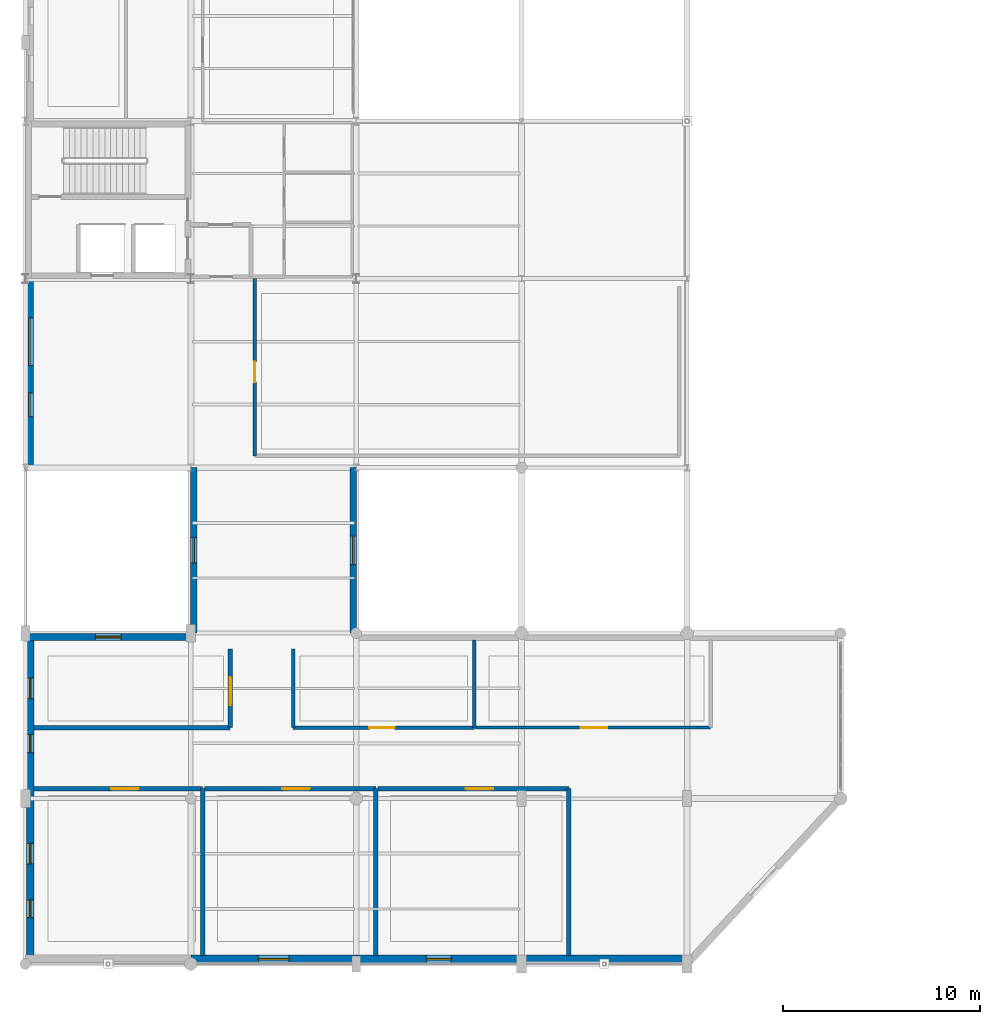
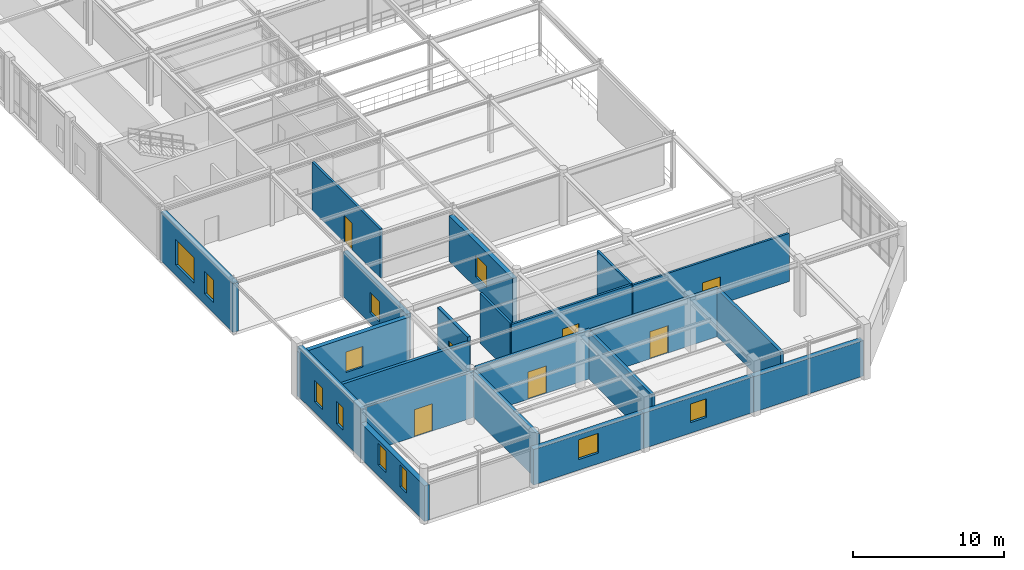
# One storey, part 83 of 106: 22 walls, 11 windows, 7 doors, 18 openings.
"""IFC4 building model written with IfcOpenShell, lengths in metres."""

from ifc_helpers import new_model, si_unit, derived_unit, direction, frame, frame_2d, origin, place, context, subcontext, project, spatial, rectangle, extrude, material, layer, layer_set, type_object, element, fill, save


model = new_model("IFC4")

# Units and contexts
model_context = context("Model", 3, precision=1e-05, world=origin(), true_north=direction((0.0, 1.0)))
body_context = subcontext(model_context, "Body", "Model", "MODEL_VIEW")
ifc_project = project(units=[si_unit("LENGTHUNIT", "METRE"), si_unit("AREAUNIT", "SQUARE_METRE"), si_unit("VOLUMEUNIT", "CUBIC_METRE"), si_unit("PLANEANGLEUNIT", "RADIAN"), si_unit("MASSUNIT", "GRAM", prefix="KILO"), derived_unit("THERMALTRANSMITTANCEUNIT", [(si_unit("POWERUNIT", "WATT"), 1), (si_unit("AREAUNIT", "SQUARE_METRE"), -1), (si_unit("THERMODYNAMICTEMPERATUREUNIT", "KELVIN"), -1)])], contexts=[model_context])

# Site, building, storey
site_placement = place(None, origin())
site = spatial("IfcSite", under=ifc_project, at=site_placement, CompositionType="ELEMENT")
building_placement = place(site_placement, origin())
building = spatial("IfcBuilding", under=site, at=building_placement, Name="Yasenodar Specialist Clinic", CompositionType="ELEMENT")
storey_placement = place(building_placement, frame((0.0, 0.0, 4.5)))
storey = spatial("IfcBuildingStorey", under=building, at=storey_placement, Name="L01", CompositionType="ELEMENT", Elevation=4.5)

# Wall, openings, windows
ifc_material_1 = material(Name="Leznykivske Rose Granite Rainscreen", Category="masonry")
ifc_layer_1 = layer(ifc_material_1, 0.3798828125)
ifc_layer_set_1 = layer_set([ifc_layer_1], Name="Leznykivske Rose Granite Rainscreen")
wall_type_1 = type_object("IfcWallType", Name="EW-GRAN-380", PredefinedType="SOLIDWALL", material=ifc_layer_set_1)
wall_1_placement = place(storey_placement, frame((0.239990234375, 0.0, 0.0), z_axis=(0.0, 0.0, 1.0), x_axis=(0.0, 1.0, 0.0)))
wall_1 = element("IfcWall", 1, at=wall_1_placement, inside=storey, type_object=wall_type_1, Name="L01 Exterior Facade Wall 0052", PredefinedType="SOLIDWALL", context=body_context, shape_type="SweptSolid", body=[
    extrude(rectangle(XDim=8.39990234375, YDim=0.3798828125, at=frame_2d((4.199951171875, 0.0))), origin(), (0.0, 0.0, 1.0), 2.867919921875),
])
opening_1_placement = place(wall_1_placement, frame((2.35009765625, 0.0, 0.85009765625)))
opening_1 = element("IfcOpeningElement", 2, at=opening_1_placement, cuts=wall_1, Name="Opening W-09", PredefinedType="OPENING", context=body_context, shape_type="SweptSolid", body=[
    extrude(rectangle(XDim=0.89990234375, YDim=1.800048828125, at=frame_2d((0.449951171875, 0.89990234375))), frame((0.0, 0.199951171875, 0.0), z_axis=(0.0, -1.0, 0.0), x_axis=(1.0, 0.0, 0.0)), (0.0, 0.0, 1.0), 0.39990234375),
])
opening_2_placement = place(wall_1_placement, frame((5.074951171875, 0.0, 0.85009765625)))
opening_2 = element("IfcOpeningElement", 3, at=opening_2_placement, cuts=wall_1, Name="Opening W-10", PredefinedType="OPENING", context=body_context, shape_type="SweptSolid", body=[
    extrude(rectangle(XDim=1.050048828125, YDim=1.75, at=frame_2d((0.52490234375, 0.875))), frame((0.0, 0.199951171875, 0.0), z_axis=(0.0, -1.0, 0.0), x_axis=(1.0, 0.0, 0.0)), (0.0, 0.0, 1.0), 0.39990234375),
])
ifc_material_2 = material(Name="Triple Low-E Argon Glazing in Bronze Aluminium Frame", Category="aluminium")
window_type_1 = type_object("IfcWindowType", Name="WIN-EXT-09", PartitioningType="SINGLE_PANEL", PredefinedType="WINDOW", material=ifc_material_2)
window_1_placement = place(opening_1_placement, origin())
window_1 = element("IfcWindow", 4, at=window_1_placement, inside=storey, type_object=window_type_1, Name="L01 Triple-Glazed Reveal Window 0033", OverallHeight=1.800048828125, OverallWidth=0.89990234375, PartitioningType="SINGLE_PANEL", PredefinedType="WINDOW", context=body_context, shape_type="SweptSolid", body=[
    extrude(rectangle(XDim=0.89990234375, YDim=1.800048828125, at=frame_2d((0.449951171875, 0.89990234375))), frame((0.0, 0.030029296875, 0.0), z_axis=(0.0, -1.0, 0.0), x_axis=(1.0, 0.0, 0.0)), (0.0, 0.0, 1.0), 0.06005859375),
])
fill(opening_1, window_1)
window_type_2 = type_object("IfcWindowType", Name="WIN-EXT-10", PartitioningType="SINGLE_PANEL", PredefinedType="WINDOW", material=ifc_material_2)
window_2_placement = place(opening_2_placement, origin())
window_2 = element("IfcWindow", 5, at=window_2_placement, inside=storey, type_object=window_type_2, Name="L01 Triple-Glazed Reveal Window 0034", OverallHeight=1.75, OverallWidth=1.050048828125, PartitioningType="SINGLE_PANEL", PredefinedType="WINDOW", context=body_context, shape_type="SweptSolid", body=[
    extrude(rectangle(XDim=1.050048828125, YDim=1.75, at=frame_2d((0.52490234375, 0.875))), frame((0.0, 0.030029296875, 0.0), z_axis=(0.0, -1.0, 0.0), x_axis=(1.0, 0.0, 0.0)), (0.0, 0.0, 1.0), 0.06005859375),
])
fill(opening_2, window_2)

wall_2_placement = place(storey_placement, frame((0.239990234375, 8.39990234375, 0.0), z_axis=(0.0, 0.0, 1.0), x_axis=(0.0, 1.0, 0.0)))
wall_2 = element("IfcWall", 6, at=wall_2_placement, inside=storey, type_object=wall_type_1, Name="L01 Exterior Facade Wall 0053", PredefinedType="SOLIDWALL", context=body_context, shape_type="SweptSolid", body=[
    extrude(rectangle(XDim=8.400146484375, YDim=0.3798828125, at=frame_2d((4.2001953125, 0.0))), origin(), (0.0, 0.0, 1.0), 3.97802734375),
])
opening_3_placement = place(wall_2_placement, frame((2.35009765625, 0.0, 0.85009765625)))
opening_3 = element("IfcOpeningElement", 7, at=opening_3_placement, cuts=wall_2, Name="Opening W-09", PredefinedType="OPENING", context=body_context, shape_type="SweptSolid", body=[
    extrude(rectangle(XDim=0.89990234375, YDim=1.800048828125, at=frame_2d((0.449951171875, 0.89990234375))), frame((0.0, 0.199951171875, 0.0), z_axis=(0.0, -1.0, 0.0), x_axis=(1.0, 0.0, 0.0)), (0.0, 0.0, 1.0), 0.39990234375),
])
opening_4_placement = place(wall_2_placement, frame((5.074951171875, 0.0, 0.85009765625)))
opening_4 = element("IfcOpeningElement", 8, at=opening_4_placement, cuts=wall_2, Name="Opening W-10", PredefinedType="OPENING", context=body_context, shape_type="SweptSolid", body=[
    extrude(rectangle(XDim=1.050048828125, YDim=1.75, at=frame_2d((0.52490234375, 0.875))), frame((0.0, 0.199951171875, 0.0), z_axis=(0.0, -1.0, 0.0), x_axis=(1.0, 0.0, 0.0)), (0.0, 0.0, 1.0), 0.39990234375),
])
window_3_placement = place(opening_3_placement, origin())
window_3 = element("IfcWindow", 9, at=window_3_placement, inside=storey, type_object=window_type_1, Name="L01 Triple-Glazed Reveal Window 0035", OverallHeight=1.800048828125, OverallWidth=0.89990234375, PartitioningType="SINGLE_PANEL", PredefinedType="WINDOW", context=body_context, shape_type="SweptSolid", body=[
    extrude(rectangle(XDim=0.89990234375, YDim=1.800048828125, at=frame_2d((0.449951171875, 0.89990234375))), frame((0.0, 0.030029296875, 0.0), z_axis=(0.0, -1.0, 0.0), x_axis=(1.0, 0.0, 0.0)), (0.0, 0.0, 1.0), 0.06005859375),
])
fill(opening_3, window_3)
window_4_placement = place(opening_4_placement, origin())
window_4 = element("IfcWindow", 10, at=window_4_placement, inside=storey, type_object=window_type_2, Name="L01 Triple-Glazed Reveal Window 0036", OverallHeight=1.75, OverallWidth=1.050048828125, PartitioningType="SINGLE_PANEL", PredefinedType="WINDOW", context=body_context, shape_type="SweptSolid", body=[
    extrude(rectangle(XDim=1.050048828125, YDim=1.75, at=frame_2d((0.52490234375, 0.875))), frame((0.0, 0.030029296875, 0.0), z_axis=(0.0, -1.0, 0.0), x_axis=(1.0, 0.0, 0.0)), (0.0, 0.0, 1.0), 0.06005859375),
])
fill(opening_4, window_4)

# Wall
ifc_material_3 = material(Name="Kapustianske Red Granite Ashlar Rainscreen", Category="masonry")
ifc_layer_2 = layer(ifc_material_3, 0.419921875)
ifc_layer_set_2 = layer_set([ifc_layer_2], Name="Kapustianske Red Granite Ashlar Rainscreen")
wall_type_2 = type_object("IfcWallType", Name="EW-GRAN-420", PredefinedType="SOLIDWALL", material=ifc_layer_set_2)
wall_3_placement = place(storey_placement, frame((33.60009765625, 0.239990234375, 0.0), z_axis=(0.0, 0.0, 1.0), x_axis=(-1.0, 0.0, 0.0)))
element("IfcWall", 11, at=wall_3_placement, inside=storey, type_object=wall_type_2, Name="L01 Exterior Facade Wall 0048", PredefinedType="SOLIDWALL", context=body_context, shape_type="SweptSolid", body=[
    extrude(rectangle(XDim=8.400146484375, YDim=0.419921875, at=frame_2d((4.2001953125, 0.0))), origin(), (0.0, 0.0, 1.0), 2.867919921875),
])

# Wall, opening, window
wall_4_placement = place(storey_placement, frame((25.199951171875, 0.239990234375, 0.0), z_axis=(0.0, 0.0, 1.0), x_axis=(-1.0, 0.0, 0.0)))
wall_4 = element("IfcWall", 12, at=wall_4_placement, inside=storey, type_object=wall_type_2, Name="L01 Exterior Facade Wall 0049", PredefinedType="SOLIDWALL", context=body_context, shape_type="SweptSolid", body=[
    extrude(rectangle(XDim=8.39990234375, YDim=0.419921875, at=frame_2d((4.199951171875, 0.0))), origin(), (0.0, 0.0, 1.0), 2.867919921875),
])
opening_5_placement = place(wall_4_placement, frame((3.574951171875, 0.0, 0.85009765625)))
opening_5 = element("IfcOpeningElement", 13, at=opening_5_placement, cuts=wall_4, Name="Opening W-15", PredefinedType="OPENING", context=body_context, shape_type="SweptSolid", body=[
    extrude(rectangle(XDim=1.25, YDim=1.5, at=frame_2d((0.625, 0.75))), frame((0.0, 0.219970703125, 0.0), z_axis=(0.0, -1.0, 0.0), x_axis=(1.0, 0.0, 0.0)), (0.0, 0.0, 1.0), 0.43994140625),
])
window_type_3 = type_object("IfcWindowType", Name="WIN-EXT-15", PartitioningType="SINGLE_PANEL", PredefinedType="WINDOW", material=ifc_material_2)
window_5_placement = place(opening_5_placement, origin())
window_5 = element("IfcWindow", 14, at=window_5_placement, inside=storey, type_object=window_type_3, Name="L01 Triple-Glazed Reveal Window 0031", OverallHeight=1.5, OverallWidth=1.25, PartitioningType="SINGLE_PANEL", PredefinedType="WINDOW", context=body_context, shape_type="SweptSolid", body=[
    extrude(rectangle(XDim=1.25, YDim=1.5, at=frame_2d((0.625, 0.75))), frame((0.0, 0.030029296875, 0.0), z_axis=(0.0, -1.0, 0.0), x_axis=(1.0, 0.0, 0.0)), (0.0, 0.0, 1.0), 0.06005859375),
])
fill(opening_5, window_5)

wall_5_placement = place(storey_placement, frame((16.800048828125, 0.239990234375, 0.0), z_axis=(0.0, 0.0, 1.0), x_axis=(-1.0, 0.0, 0.0)))
wall_5 = element("IfcWall", 15, at=wall_5_placement, inside=storey, type_object=wall_type_2, Name="L01 Exterior Facade Wall 0050", PredefinedType="SOLIDWALL", context=body_context, shape_type="SweptSolid", body=[
    extrude(rectangle(XDim=8.400146484375, YDim=0.419921875, at=frame_2d((4.2001953125, 0.0))), origin(), (0.0, 0.0, 1.0), 2.867919921875),
])
opening_6_placement = place(wall_5_placement, frame((3.425048828125, 0.0, 0.85009765625)))
opening_6 = element("IfcOpeningElement", 16, at=opening_6_placement, cuts=wall_5, Name="Opening W-16", PredefinedType="OPENING", context=body_context, shape_type="SweptSolid", body=[
    extrude(rectangle(XDim=1.550048828125, YDim=1.60009765625, at=frame_2d((0.77490234375, 0.800048828125))), frame((0.0, 0.219970703125, 0.0), z_axis=(0.0, -1.0, 0.0), x_axis=(1.0, 0.0, 0.0)), (0.0, 0.0, 1.0), 0.43994140625),
])
window_type_4 = type_object("IfcWindowType", Name="WIN-EXT-16", PartitioningType="SINGLE_PANEL", PredefinedType="WINDOW", material=ifc_material_2)
window_6_placement = place(opening_6_placement, origin())
window_6 = element("IfcWindow", 17, at=window_6_placement, inside=storey, type_object=window_type_4, Name="L01 Triple-Glazed Reveal Window 0032", OverallHeight=1.60009765625, OverallWidth=1.550048828125, PartitioningType="SINGLE_PANEL", PredefinedType="WINDOW", context=body_context, shape_type="SweptSolid", body=[
    extrude(rectangle(XDim=1.550048828125, YDim=1.60009765625, at=frame_2d((0.77490234375, 0.800048828125))), frame((0.0, 0.030029296875, 0.0), z_axis=(0.0, -1.0, 0.0), x_axis=(1.0, 0.0, 0.0)), (0.0, 0.0, 1.0), 0.06005859375),
])
fill(opening_6, window_6)

# Wall, openings, windows
wall_6_placement = place(storey_placement, frame((0.199951171875, 25.199951171875, 0.0), z_axis=(0.0, 0.0, 1.0), x_axis=(0.0, 1.0, 0.0)))
wall_6 = element("IfcWall", 18, at=wall_6_placement, inside=storey, type_object=wall_type_2, Name="L01 Exterior Facade Wall 0090", PredefinedType="SOLIDWALL", context=body_context, shape_type="SweptSolid", body=[
    extrude(rectangle(XDim=9.60009765625, YDim=0.419921875, at=frame_2d((4.800048828125, 0.0))), origin(), (0.0, 0.0, 1.0), 3.9580078125),
])
opening_7_placement = place(wall_6_placement, frame((2.60009765625, 0.0, 0.85009765625)))
opening_7 = element("IfcOpeningElement", 19, at=opening_7_placement, cuts=wall_6, Name="Opening W-01", PredefinedType="OPENING", context=body_context, shape_type="SweptSolid", body=[
    extrude(rectangle(XDim=1.199951171875, YDim=1.800048828125, at=frame_2d((0.60009765625, 0.89990234375))), frame((0.0, 0.219970703125, 0.0), z_axis=(0.0, -1.0, 0.0), x_axis=(1.0, 0.0, 0.0)), (0.0, 0.0, 1.0), 0.43994140625),
])
opening_8_placement = place(wall_6_placement, frame((5.199951171875, 0.0, 0.85009765625)))
opening_8 = element("IfcOpeningElement", 20, at=opening_8_placement, cuts=wall_6, Name="Opening W-08", PredefinedType="OPENING", context=body_context, shape_type="SweptSolid", body=[
    extrude(rectangle(XDim=2.39990234375, YDim=2.050048828125, at=frame_2d((1.199951171875, 1.02490234375))), frame((0.0, 0.219970703125, 0.0), z_axis=(0.0, -1.0, 0.0), x_axis=(1.0, 0.0, 0.0)), (0.0, 0.0, 1.0), 0.43994140625),
])
window_type_5 = type_object("IfcWindowType", Name="WIN-EXT-01", PartitioningType="SINGLE_PANEL", PredefinedType="WINDOW", material=ifc_material_2)
window_7_placement = place(opening_7_placement, origin())
window_7 = element("IfcWindow", 21, at=window_7_placement, inside=storey, type_object=window_type_5, Name="L01 Triple-Glazed Reveal Window 0077", OverallHeight=1.800048828125, OverallWidth=1.199951171875, PartitioningType="SINGLE_PANEL", PredefinedType="WINDOW", context=body_context, shape_type="SweptSolid", body=[
    extrude(rectangle(XDim=1.199951171875, YDim=1.800048828125, at=frame_2d((0.60009765625, 0.89990234375))), frame((0.0, 0.030029296875, 0.0), z_axis=(0.0, -1.0, 0.0), x_axis=(1.0, 0.0, 0.0)), (0.0, 0.0, 1.0), 0.06005859375),
])
fill(opening_7, window_7)
window_type_6 = type_object("IfcWindowType", Name="WIN-EXT-08", PartitioningType="SINGLE_PANEL", PredefinedType="WINDOW", material=ifc_material_2)
window_8_placement = place(opening_8_placement, origin())
window_8 = element("IfcWindow", 22, at=window_8_placement, inside=storey, type_object=window_type_6, Name="L01 Triple-Glazed Reveal Window 0078", OverallHeight=2.050048828125, OverallWidth=2.39990234375, PartitioningType="SINGLE_PANEL", PredefinedType="WINDOW", context=body_context, shape_type="SweptSolid", body=[
    extrude(rectangle(XDim=2.39990234375, YDim=2.050048828125, at=frame_2d((1.199951171875, 1.02490234375))), frame((0.0, 0.030029296875, 0.0), z_axis=(0.0, -1.0, 0.0), x_axis=(1.0, 0.0, 0.0)), (0.0, 0.0, 1.0), 0.06005859375),
])
fill(opening_8, window_8)

# Wall, opening, window
ifc_material_4 = material(Name="Buff Architectural Terracotta Rainscreen", Category="masonry")
ifc_layer_3 = layer(ifc_material_4, 0.340087890625)
ifc_layer_set_3 = layer_set([ifc_layer_3], Name="Buff Architectural Terracotta Rainscreen")
wall_type_3 = type_object("IfcWallType", Name="EW-TERR-340", PredefinedType="SOLIDWALL", material=ifc_layer_set_3)
wall_7_placement = place(storey_placement, frame((0.0, 16.60009765625, 0.0), z_axis=(0.0, 0.0, 1.0), x_axis=(1.0, 0.0, 0.0)))
wall_7 = element("IfcWall", 23, at=wall_7_placement, inside=storey, type_object=wall_type_3, Name="L01 Exterior Facade Wall 0054", PredefinedType="SOLIDWALL", context=body_context, shape_type="SweptSolid", body=[
    extrude(rectangle(XDim=8.39990234375, YDim=0.340087890625, at=frame_2d((4.199951171875, 0.0))), origin(), (0.0, 0.0, 1.0), 3.6279296875),
])
opening_9_placement = place(wall_7_placement, frame((3.550048828125, 0.0, 0.85009765625)))
opening_9 = element("IfcOpeningElement", 24, at=opening_9_placement, cuts=wall_7, Name="Opening W-21", PredefinedType="OPENING", context=body_context, shape_type="SweptSolid", body=[
    extrude(rectangle(XDim=1.300048828125, YDim=1.64990234375, at=frame_2d((0.64990234375, 0.824951171875))), frame((0.0, 0.18017578125, 0.0), z_axis=(0.0, -1.0, 0.0), x_axis=(1.0, 0.0, 0.0)), (0.0, 0.0, 1.0), 0.360107421875),
])
window_type_7 = type_object("IfcWindowType", Name="WIN-EXT-21", PartitioningType="SINGLE_PANEL", PredefinedType="WINDOW", material=ifc_material_2)
window_9_placement = place(opening_9_placement, origin())
window_9 = element("IfcWindow", 25, at=window_9_placement, inside=storey, type_object=window_type_7, Name="L01 Triple-Glazed Reveal Window 0037", OverallHeight=1.64990234375, OverallWidth=1.300048828125, PartitioningType="SINGLE_PANEL", PredefinedType="WINDOW", context=body_context, shape_type="SweptSolid", body=[
    extrude(rectangle(XDim=1.300048828125, YDim=1.64990234375, at=frame_2d((0.64990234375, 0.824951171875))), frame((0.0, 0.030029296875, 0.0), z_axis=(0.0, -1.0, 0.0), x_axis=(1.0, 0.0, 0.0)), (0.0, 0.0, 1.0), 0.06005859375),
])
fill(opening_9, window_9)

wall_8_placement = place(storey_placement, frame((8.550048828125, 16.800048828125, 0.0), z_axis=(0.0, 0.0, 1.0), x_axis=(0.0, 1.0, 0.0)))
wall_8 = element("IfcWall", 26, at=wall_8_placement, inside=storey, type_object=wall_type_3, Name="L01 Exterior Facade Wall 0056", PredefinedType="SOLIDWALL", context=body_context, shape_type="SweptSolid", body=[
    extrude(rectangle(XDim=8.39990234375, YDim=0.340087890625, at=frame_2d((4.199951171875, 0.0))), origin(), (0.0, 0.0, 1.0), 3.6279296875),
])
opening_10_placement = place(wall_8_placement, frame((3.550048828125, 0.0, 0.85009765625)))
opening_10 = element("IfcOpeningElement", 27, at=opening_10_placement, cuts=wall_8, Name="Opening W-21", PredefinedType="OPENING", context=body_context, shape_type="SweptSolid", body=[
    extrude(rectangle(XDim=1.300048828125, YDim=1.64990234375, at=frame_2d((0.64990234375, 0.824951171875))), frame((0.0, 0.18017578125, 0.0), z_axis=(0.0, -1.0, 0.0), x_axis=(1.0, 0.0, 0.0)), (0.0, 0.0, 1.0), 0.360107421875),
])
window_10_placement = place(opening_10_placement, origin())
window_10 = element("IfcWindow", 28, at=window_10_placement, inside=storey, type_object=window_type_7, Name="L01 Triple-Glazed Reveal Window 0038", OverallHeight=1.64990234375, OverallWidth=1.300048828125, PartitioningType="SINGLE_PANEL", PredefinedType="WINDOW", context=body_context, shape_type="SweptSolid", body=[
    extrude(rectangle(XDim=1.300048828125, YDim=1.64990234375, at=frame_2d((0.64990234375, 0.824951171875))), frame((0.0, 0.030029296875, 0.0), z_axis=(0.0, -1.0, 0.0), x_axis=(1.0, 0.0, 0.0)), (0.0, 0.0, 1.0), 0.06005859375),
])
fill(opening_10, window_10)

wall_9_placement = place(storey_placement, frame((16.64990234375, 25.199951171875, 0.0), z_axis=(0.0, 0.0, 1.0), x_axis=(0.0, -1.0, 0.0)))
wall_9 = element("IfcWall", 29, at=wall_9_placement, inside=storey, type_object=wall_type_3, Name="L01 Exterior Facade Wall 0057", PredefinedType="SOLIDWALL", context=body_context, shape_type="SweptSolid", body=[
    extrude(rectangle(XDim=8.39990234375, YDim=0.340087890625, at=frame_2d((4.199951171875, 0.0))), origin(), (0.0, 0.0, 1.0), 3.677978515625),
])
opening_11_placement = place(wall_9_placement, frame((3.47509765625, 0.0, 0.85009765625)))
opening_11 = element("IfcOpeningElement", 30, at=opening_11_placement, cuts=wall_9, Name="Opening W-22", PredefinedType="OPENING", context=body_context, shape_type="SweptSolid", body=[
    extrude(rectangle(XDim=1.449951171875, YDim=1.75, at=frame_2d((0.72509765625, 0.875))), frame((0.0, 0.18017578125, 0.0), z_axis=(0.0, -1.0, 0.0), x_axis=(1.0, 0.0, 0.0)), (0.0, 0.0, 1.0), 0.360107421875),
])
window_type_8 = type_object("IfcWindowType", Name="WIN-EXT-22", PartitioningType="SINGLE_PANEL", PredefinedType="WINDOW", material=ifc_material_2)
window_11_placement = place(opening_11_placement, origin())
window_11 = element("IfcWindow", 31, at=window_11_placement, inside=storey, type_object=window_type_8, Name="L01 Triple-Glazed Reveal Window 0039", OverallHeight=1.75, OverallWidth=1.449951171875, PartitioningType="SINGLE_PANEL", PredefinedType="WINDOW", context=body_context, shape_type="SweptSolid", body=[
    extrude(rectangle(XDim=1.449951171875, YDim=1.75, at=frame_2d((0.72509765625, 0.875))), frame((0.0, 0.030029296875, 0.0), z_axis=(0.0, -1.0, 0.0), x_axis=(1.0, 0.0, 0.0)), (0.0, 0.0, 1.0), 0.06005859375),
])
fill(opening_11, window_11)

# Wall, opening, door
ifc_material_5 = material(Name="Acoustic Double-Gypsum Consulting Partition")
ifc_layer_4 = layer(ifc_material_5, 0.159912109375)
ifc_layer_set_4 = layer_set([ifc_layer_4], Name="Acoustic Double-Gypsum Consulting Partition")
wall_type_4 = type_object("IfcWallType", Name="IW-CONS-160", PredefinedType="PARTITIONING", material=ifc_layer_set_4)
wall_10_placement = place(storey_placement, frame((34.800048828125, 12.0, 0.0), z_axis=(0.0, 0.0, 1.0), x_axis=(-1.0, 0.0, 0.0)))
wall_10 = element("IfcWall", 32, at=wall_10_placement, inside=storey, type_object=wall_type_4, Name="L01 Doppler Ultrasound Suite 02 Partition", PredefinedType="PARTITIONING", context=body_context, shape_type="SweptSolid", body=[
    extrude(rectangle(XDim=11.93505859375, YDim=0.159912109375, at=frame_2d((5.967529296875, 0.0))), origin(), (0.0, 0.0, 1.0), 3.887939453125),
])
opening_12_placement = place(wall_10_placement, frame((5.25, 0.0, 0.0)))
opening_12 = element("IfcOpeningElement", 33, at=opening_12_placement, cuts=wall_10, Name="Opening D-11", PredefinedType="OPENING", context=body_context, shape_type="SweptSolid", body=[
    extrude(rectangle(XDim=1.360107421875, YDim=2.199951171875, at=frame_2d((0.68017578125, 1.10009765625))), frame((0.0, 0.08984375, 0.0), z_axis=(0.0, -1.0, 0.0), x_axis=(1.0, 0.0, 0.0)), (0.0, 0.0, 1.0), 0.179931640625),
])
ifc_material_6 = material(Name="Powder-Coated Steel and Acoustic Laminate Leaf", Category="steel")
door_type_1 = type_object("IfcDoorType", Name="DR-PLT-136", OperationType="NOTDEFINED", PredefinedType="DOOR", material=ifc_material_6)
door_1_placement = place(opening_12_placement, origin())
door_1 = element("IfcDoor", 34, at=door_1_placement, inside=storey, type_object=door_type_1, Name="L01 Doppler Ultrasound Suite 02 Door", OperationType="SINGLE_SWING_LEFT", OverallHeight=2.199951171875, OverallWidth=1.360107421875, PredefinedType="DOOR", context=body_context, shape_type="SweptSolid", body=[
    extrude(rectangle(XDim=1.360107421875, YDim=2.199951171875, at=frame_2d((0.68017578125, 1.10009765625))), frame((0.0, 0.02490234375, 0.0), z_axis=(0.0, -1.0, 0.0), x_axis=(1.0, 0.0, 0.0)), (0.0, 0.0, 1.0), 0.050048828125),
])
fill(opening_12, door_1)

ifc_material_7 = material(Name="Cleanroom Laboratory Partition")
ifc_layer_5 = layer(ifc_material_7, 0.169921875)
ifc_layer_set_5 = layer_set([ifc_layer_5], Name="Cleanroom Laboratory Partition")
wall_type_5 = type_object("IfcWallType", Name="IW-LAB-170", PredefinedType="PARTITIONING", material=ifc_layer_set_5)
wall_11_placement = place(storey_placement, frame((22.800048828125, 12.0, 0.0), z_axis=(0.0, 0.0, 1.0), x_axis=(-1.0, 0.0, 0.0)))
wall_11 = element("IfcWall", 35, at=wall_11_placement, inside=storey, type_object=wall_type_5, Name="L01 Doppler Ultrasound Suite 01 Partition", PredefinedType="PARTITIONING", context=body_context, shape_type="SweptSolid", body=[
    extrude(rectangle(XDim=9.199951171875, YDim=0.169921875, at=frame_2d((4.60009765625, 0.0))), origin(), (0.0, 0.0, 1.0), 3.947998046875),
])
opening_13_placement = place(wall_11_placement, frame((4.050048828125, 0.0, 0.0)))
opening_13 = element("IfcOpeningElement", 36, at=opening_13_placement, cuts=wall_11, Name="Opening D-08", PredefinedType="OPENING", context=body_context, shape_type="SweptSolid", body=[
    extrude(rectangle(XDim=1.280029296875, YDim=2.219970703125, at=frame_2d((0.64013671875, 1.10986328125))), frame((0.0, 0.094970703125, 0.0), z_axis=(0.0, -1.0, 0.0), x_axis=(1.0, 0.0, 0.0)), (0.0, 0.0, 1.0), 0.18994140625),
])
door_type_2 = type_object("IfcDoorType", Name="DR-CLN-128", OperationType="NOTDEFINED", PredefinedType="DOOR", material=ifc_material_6)
door_2_placement = place(opening_13_placement, origin())
door_2 = element("IfcDoor", 37, at=door_2_placement, inside=storey, type_object=door_type_2, Name="L01 Doppler Ultrasound Suite 01 Door", OperationType="SINGLE_SWING_RIGHT", OverallHeight=2.219970703125, OverallWidth=1.280029296875, PredefinedType="DOOR", context=body_context, shape_type="SweptSolid", body=[
    extrude(rectangle(XDim=1.280029296875, YDim=2.219970703125, at=frame_2d((0.64013671875, 1.10986328125))), frame((0.0, 0.02490234375, 0.0), z_axis=(0.0, -1.0, 0.0), x_axis=(1.0, 0.0, 0.0)), (0.0, 0.0, 1.0), 0.050048828125),
])
fill(opening_13, door_2)

# Walls
wall_12_placement = place(storey_placement, frame((13.60009765625, 12.0, 0.0), z_axis=(0.0, 0.0, 1.0), x_axis=(0.0, 1.0, 0.0)))
element("IfcWall", 38, at=wall_12_placement, inside=storey, type_object=wall_type_5, Name="L01 Doppler Ultrasound Suite 01 Partition", PredefinedType="PARTITIONING", context=body_context, shape_type="SweptSolid", body=[
    extrude(rectangle(XDim=4.0, YDim=0.169921875, at=frame_2d((2.0, 0.0))), origin(), (0.0, 0.0, 1.0), 4.028076171875),
])
wall_13_placement = place(storey_placement, frame((22.800048828125, 16.449951171875, 0.0), z_axis=(0.0, 0.0, 1.0), x_axis=(0.0, -1.0, 0.0)))
element("IfcWall", 39, at=wall_13_placement, inside=storey, type_object=wall_type_5, Name="L01 Doppler Ultrasound Suite 01 Partition", PredefinedType="PARTITIONING", context=body_context, shape_type="SweptSolid", body=[
    extrude(rectangle(XDim=4.449951171875, YDim=0.169921875, at=frame_2d((2.22509765625, 0.0))), origin(), (0.0, 0.0, 1.0), 3.988037109375),
])

# Wall, opening, door
wall_14_placement = place(storey_placement, frame((11.64990234375, 25.800048828125, 0.0), z_axis=(0.0, 0.0, 1.0), x_axis=(0.0, 1.0, 0.0)))
wall_14 = element("IfcWall", 40, at=wall_14_placement, inside=storey, type_object=wall_type_5, Name="L01 Vascular Outpatient Clinic Partition", PredefinedType="PARTITIONING", context=body_context, shape_type="SweptSolid", body=[
    extrude(rectangle(XDim=9.0224609375, YDim=0.169921875, at=frame_2d((4.51123046875, 0.0))), origin(), (0.0, 0.0, 1.0), 3.927978515625),
])
opening_14_placement = place(wall_14_placement, frame((3.75, 0.0, 0.0)))
opening_14 = element("IfcOpeningElement", 41, at=opening_14_placement, cuts=wall_14, Name="Opening D-03", PredefinedType="OPENING", context=body_context, shape_type="SweptSolid", body=[
    extrude(rectangle(XDim=1.02001953125, YDim=2.14990234375, at=frame_2d((0.510009765625, 1.074951171875))), frame((0.0, 0.094970703125, 0.0), z_axis=(0.0, -1.0, 0.0), x_axis=(1.0, 0.0, 0.0)), (0.0, 0.0, 1.0), 0.18994140625),
])
door_type_3 = type_object("IfcDoorType", Name="DR-CLN-102", OperationType="NOTDEFINED", PredefinedType="DOOR", material=ifc_material_6)
door_3_placement = place(opening_14_placement, origin())
door_3 = element("IfcDoor", 42, at=door_3_placement, inside=storey, type_object=door_type_3, Name="L01 Vascular Outpatient Clinic Door", OperationType="SINGLE_SWING_LEFT", OverallHeight=2.14990234375, OverallWidth=1.02001953125, PredefinedType="DOOR", context=body_context, shape_type="SweptSolid", body=[
    extrude(rectangle(XDim=1.02001953125, YDim=2.14990234375, at=frame_2d((0.510009765625, 1.074951171875))), frame((0.0, 0.02490234375, 0.0), z_axis=(0.0, -1.0, 0.0), x_axis=(1.0, 0.0, 0.0)), (0.0, 0.0, 1.0), 0.050048828125),
])
fill(opening_14, door_3)

ifc_material_8 = material(Name="Shielded CT Control Partition")
ifc_layer_6 = layer(ifc_material_8, 0.22998046875)
ifc_layer_set_6 = layer_set([ifc_layer_6], Name="Shielded CT Control Partition")
wall_type_6 = type_object("IfcWallType", Name="IW-LEAD-230", PredefinedType="PARTITIONING", material=ifc_layer_set_6)
wall_15_placement = place(storey_placement, frame((0.409912109375, 8.89990234375, 0.0), z_axis=(0.0, 0.0, 1.0), x_axis=(1.0, 0.0, 0.0)))
wall_15 = element("IfcWall", 43, at=wall_15_placement, inside=storey, type_object=wall_type_6, Name="L01 Digital X-Ray Room 01 Partition", PredefinedType="PARTITIONING", context=body_context, shape_type="SweptSolid", body=[
    extrude(rectangle(XDim=8.590087890625, YDim=0.22998046875, at=frame_2d((4.294921875, 0.0))), origin(), (0.0, 0.0, 1.0), 3.677978515625),
])
opening_15_placement = place(wall_15_placement, frame((3.93994140625, 0.0, 0.0)))
opening_15 = element("IfcOpeningElement", 44, at=opening_15_placement, cuts=wall_15, Name="Opening XD-01", PredefinedType="OPENING", context=body_context, shape_type="SweptSolid", body=[
    extrude(rectangle(XDim=1.39990234375, YDim=2.199951171875, at=frame_2d((0.699951171875, 1.10009765625))), frame((0.0, 0.125, 0.0), z_axis=(0.0, -1.0, 0.0), x_axis=(1.0, 0.0, 0.0)), (0.0, 0.0, 1.0), 0.25),
])
ifc_material_9 = material(Name="Fire-Rated Insulated Steel Door", Category="steel")
door_type_4 = type_object("IfcDoorType", Name="DR-LEAD-140", OperationType="NOTDEFINED", PredefinedType="DOOR", material=ifc_material_9)
door_4_placement = place(opening_15_placement, origin())
door_4 = element("IfcDoor", 45, at=door_4_placement, inside=storey, type_object=door_type_4, Name="L01 Digital X-Ray Room 01 Door", OperationType="SINGLE_SWING_RIGHT", OverallHeight=2.199951171875, OverallWidth=1.39990234375, PredefinedType="DOOR", context=body_context, shape_type="SweptSolid", body=[
    extrude(rectangle(XDim=1.39990234375, YDim=2.199951171875, at=frame_2d((0.699951171875, 1.10009765625))), frame((0.0, 0.02490234375, 0.0), z_axis=(0.0, -1.0, 0.0), x_axis=(1.0, 0.0, 0.0)), (0.0, 0.0, 1.0), 0.050048828125),
])
fill(opening_15, door_4)

# Wall
wall_16_placement = place(storey_placement, frame((9.0, 8.89990234375, 0.0), z_axis=(0.0, 0.0, 1.0), x_axis=(0.0, -1.0, 0.0)))
element("IfcWall", 46, at=wall_16_placement, inside=storey, type_object=wall_type_6, Name="L01 Digital X-Ray Room 01 Partition", PredefinedType="PARTITIONING", context=body_context, shape_type="SweptSolid", body=[
    extrude(rectangle(XDim=8.469970703125, YDim=0.22998046875, at=frame_2d((4.23486328125, 0.0))), origin(), (0.0, 0.0, 1.0), 3.72802734375),
])

# Wall, opening, door
wall_17_placement = place(storey_placement, frame((9.094970703125, 8.89990234375, 0.0), z_axis=(0.0, 0.0, 1.0), x_axis=(1.0, 0.0, 0.0)))
wall_17 = element("IfcWall", 47, at=wall_17_placement, inside=storey, type_object=wall_type_6, Name="L01 Digital X-Ray Room 02 Partition", PredefinedType="PARTITIONING", context=body_context, shape_type="SweptSolid", body=[
    extrude(rectangle(XDim=8.705078125, YDim=0.22998046875, at=frame_2d((4.3525390625, 0.0))), origin(), (0.0, 0.0, 1.0), 3.947998046875),
])
opening_16_placement = place(wall_17_placement, frame((3.955078125, 0.0, 0.0)))
opening_16 = element("IfcOpeningElement", 48, at=opening_16_placement, cuts=wall_17, Name="Opening XD-01", PredefinedType="OPENING", context=body_context, shape_type="SweptSolid", body=[
    extrude(rectangle(XDim=1.39990234375, YDim=2.199951171875, at=frame_2d((0.699951171875, 1.10009765625))), frame((0.0, 0.125, 0.0), z_axis=(0.0, -1.0, 0.0), x_axis=(1.0, 0.0, 0.0)), (0.0, 0.0, 1.0), 0.25),
])
door_5_placement = place(opening_16_placement, origin())
door_5 = element("IfcDoor", 49, at=door_5_placement, inside=storey, type_object=door_type_4, Name="L01 Digital X-Ray Room 02 Door", OperationType="SINGLE_SWING_LEFT", OverallHeight=2.199951171875, OverallWidth=1.39990234375, PredefinedType="DOOR", context=body_context, shape_type="SweptSolid", body=[
    extrude(rectangle(XDim=1.39990234375, YDim=2.199951171875, at=frame_2d((0.699951171875, 1.10009765625))), frame((0.0, 0.02490234375, 0.0), z_axis=(0.0, -1.0, 0.0), x_axis=(1.0, 0.0, 0.0)), (0.0, 0.0, 1.0), 0.050048828125),
])
fill(opening_16, door_5)

# Wall
wall_18_placement = place(storey_placement, frame((17.800048828125, 8.89990234375, 0.0), z_axis=(0.0, 0.0, 1.0), x_axis=(0.0, -1.0, 0.0)))
element("IfcWall", 50, at=wall_18_placement, inside=storey, type_object=wall_type_6, Name="L01 Digital X-Ray Room 02 Partition", PredefinedType="PARTITIONING", context=body_context, shape_type="SweptSolid", body=[
    extrude(rectangle(XDim=8.469970703125, YDim=0.22998046875, at=frame_2d((4.23486328125, 0.0))), origin(), (0.0, 0.0, 1.0), 3.778076171875),
])

# Wall, opening, door
wall_19_placement = place(storey_placement, frame((17.89501953125, 8.89990234375, 0.0), z_axis=(0.0, 0.0, 1.0), x_axis=(1.0, 0.0, 0.0)))
wall_19 = element("IfcWall", 51, at=wall_19_placement, inside=storey, type_object=wall_type_6, Name="L01 Fluoroscopy Suite Partition", PredefinedType="PARTITIONING", context=body_context, shape_type="SweptSolid", body=[
    extrude(rectangle(XDim=9.705078125, YDim=0.22998046875, at=frame_2d((4.8525390625, 0.0))), origin(), (0.0, 0.0, 1.0), 3.887939453125),
])
opening_17_placement = place(wall_19_placement, frame((4.455078125, 0.0, 0.0)))
opening_17 = element("IfcOpeningElement", 52, at=opening_17_placement, cuts=wall_19, Name="Opening XD-01", PredefinedType="OPENING", context=body_context, shape_type="SweptSolid", body=[
    extrude(rectangle(XDim=1.39990234375, YDim=2.199951171875, at=frame_2d((0.699951171875, 1.10009765625))), frame((0.0, 0.125, 0.0), z_axis=(0.0, -1.0, 0.0), x_axis=(1.0, 0.0, 0.0)), (0.0, 0.0, 1.0), 0.25),
])
door_6_placement = place(opening_17_placement, origin())
door_6 = element("IfcDoor", 53, at=door_6_placement, inside=storey, type_object=door_type_4, Name="L01 Fluoroscopy Suite Door", OperationType="SINGLE_SWING_RIGHT", OverallHeight=2.199951171875, OverallWidth=1.39990234375, PredefinedType="DOOR", context=body_context, shape_type="SweptSolid", body=[
    extrude(rectangle(XDim=1.39990234375, YDim=2.199951171875, at=frame_2d((0.699951171875, 1.10009765625))), frame((0.0, 0.02490234375, 0.0), z_axis=(0.0, -1.0, 0.0), x_axis=(1.0, 0.0, 0.0)), (0.0, 0.0, 1.0), 0.050048828125),
])
fill(opening_17, door_6)

# Wall
wall_20_placement = place(storey_placement, frame((27.60009765625, 8.89990234375, 0.0), z_axis=(0.0, 0.0, 1.0), x_axis=(0.0, -1.0, 0.0)))
element("IfcWall", 54, at=wall_20_placement, inside=storey, type_object=wall_type_6, Name="L01 Fluoroscopy Suite Partition", PredefinedType="PARTITIONING", context=body_context, shape_type="SweptSolid", body=[
    extrude(rectangle(XDim=8.469970703125, YDim=0.22998046875, at=frame_2d((4.23486328125, 0.0))), origin(), (0.0, 0.0, 1.0), 3.827880859375),
])

# Wall, opening, door
wall_21_placement = place(storey_placement, frame((10.39990234375, 16.0, 0.0), z_axis=(0.0, 0.0, 1.0), x_axis=(0.0, -1.0, 0.0)))
wall_21 = element("IfcWall", 55, at=wall_21_placement, inside=storey, type_object=wall_type_6, Name="L01 Breast Mammography Suite Partition", PredefinedType="PARTITIONING", context=body_context, shape_type="SweptSolid", body=[
    extrude(rectangle(XDim=4.0, YDim=0.22998046875, at=frame_2d((2.0, 0.0))), origin(), (0.0, 0.0, 1.0), 4.028076171875),
])
opening_18_placement = place(wall_21_placement, frame((1.449951171875, 0.0, 0.0)))
opening_18 = element("IfcOpeningElement", 56, at=opening_18_placement, cuts=wall_21, Name="Opening XD-01", PredefinedType="OPENING", context=body_context, shape_type="SweptSolid", body=[
    extrude(rectangle(XDim=1.39990234375, YDim=2.199951171875, at=frame_2d((0.699951171875, 1.10009765625))), frame((0.0, 0.125, 0.0), z_axis=(0.0, -1.0, 0.0), x_axis=(1.0, 0.0, 0.0)), (0.0, 0.0, 1.0), 0.25),
])
door_7_placement = place(opening_18_placement, origin())
door_7 = element("IfcDoor", 57, at=door_7_placement, inside=storey, type_object=door_type_4, Name="L01 Breast Mammography Suite Door", OperationType="SINGLE_SWING_LEFT", OverallHeight=2.199951171875, OverallWidth=1.39990234375, PredefinedType="DOOR", context=body_context, shape_type="SweptSolid", body=[
    extrude(rectangle(XDim=1.39990234375, YDim=2.199951171875, at=frame_2d((0.699951171875, 1.10009765625))), frame((0.0, 0.02490234375, 0.0), z_axis=(0.0, -1.0, 0.0), x_axis=(1.0, 0.0, 0.0)), (0.0, 0.0, 1.0), 0.050048828125),
])
fill(opening_18, door_7)

# Wall
wall_22_placement = place(storey_placement, frame((10.39990234375, 12.0, 0.0), z_axis=(0.0, 0.0, 1.0), x_axis=(-1.0, 0.0, 0.0)))
element("IfcWall", 58, at=wall_22_placement, inside=storey, type_object=wall_type_6, Name="L01 Breast Mammography Suite Partition", PredefinedType="PARTITIONING", context=body_context, shape_type="SweptSolid", body=[
    extrude(rectangle(XDim=9.989990234375, YDim=0.22998046875, at=frame_2d((4.9951171875, 0.0))), origin(), (0.0, 0.0, 1.0), 3.677978515625),
])

save(model, "model.ifc")
